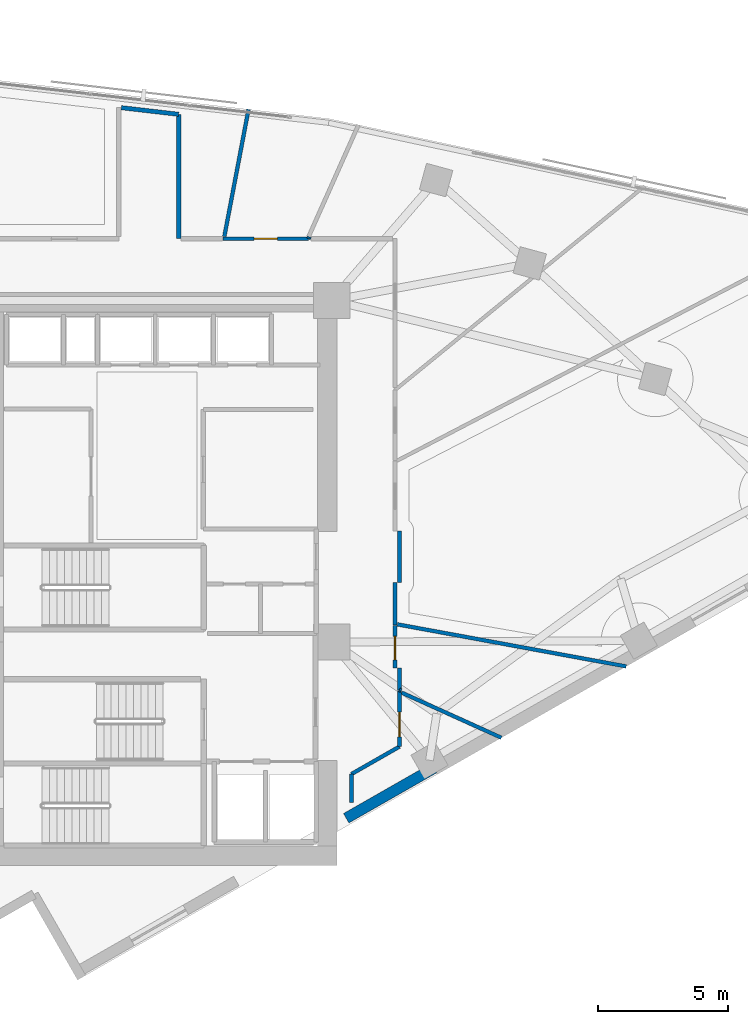
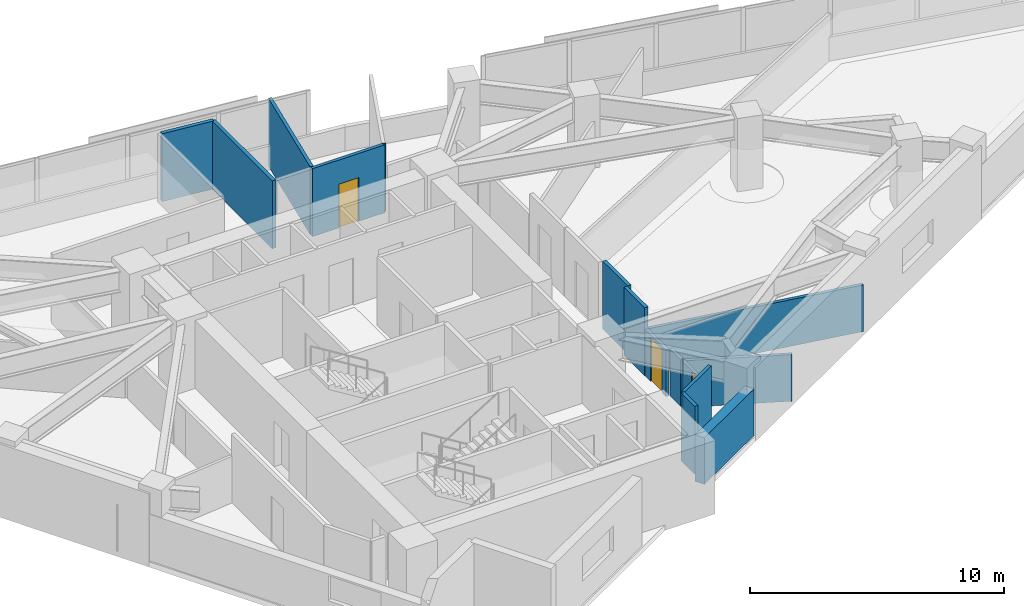
# One storey, part 10 of 13: 16 walls, 3 doors, 3 openings.
"""IFC4 building model written with IfcOpenShell, lengths in metres."""

from ifc_helpers import new_model, si_unit, direction, frame, frame_2d, origin, place, context, subcontext, project, spatial, rectangle, extrude, material, layer, layer_set, type_object, element, fill, save


model = new_model("IFC4")

# Units and contexts
model_context = context("Model", 3, precision=1e-05, world=origin(), true_north=direction((0.0, 1.0)))
body_context = subcontext(model_context, "Body", "Model", "MODEL_VIEW")
ifc_project = project(units=[si_unit("LENGTHUNIT", "METRE"), si_unit("AREAUNIT", "SQUARE_METRE"), si_unit("VOLUMEUNIT", "CUBIC_METRE"), si_unit("PLANEANGLEUNIT", "RADIAN"), si_unit("MASSUNIT", "GRAM", prefix="KILO")], contexts=[model_context])

# Site, building, storey
site_placement = place(None, origin())
site = spatial("IfcSite", under=ifc_project, at=site_placement, CompositionType="ELEMENT")
building_placement = place(site_placement, origin())
building = spatial("IfcBuilding", under=site, at=building_placement, Name="Narakoshi Arena Tower", CompositionType="ELEMENT")
storey_placement = place(building_placement, frame((0.0, 0.0, 229.06005859375)))
storey = spatial("IfcBuildingStorey", under=building, at=storey_placement, Name="L62", CompositionType="ELEMENT", Elevation=229.06005859375)

# Walls
ifc_material_1 = material(Name="Gypsum plasterboard fire-rated partition")
ifc_layer_1 = layer(ifc_material_1, 0.1650390625)
ifc_layer_set_1 = layer_set([ifc_layer_1], Name="Gypsum plasterboard fire-rated partition")
wall_type_1 = type_object("IfcWallType", Name="WL-CORR-165", PredefinedType="PARTITIONING", material=ifc_layer_set_1)
wall_1_placement = place(storey_placement, frame((88.14990234375, 45.64990234375, 0.0), z_axis=(0.0, 0.0, 1.0), x_axis=(0.0, 1.0, 0.0)))
element("IfcWall", 1, at=wall_1_placement, inside=storey, type_object=wall_type_1, Name="L62 Corridor Partition 03-2", PredefinedType="PARTITIONING", context=body_context, shape_type="SweptSolid", body=[
    extrude(rectangle(XDim=1.97021484375, YDim=0.1650390625, at=frame_2d((0.985107421875, 0.0))), origin(), (0.0, 0.0, 1.0), 3.260009765625),
])
wall_2_placement = place(storey_placement, frame((87.976318359375, 44.01220703125, 0.0), z_axis=(0.0, 0.0, 1.0), x_axis=(0.0, 1.0, 0.0)))
element("IfcWall", 2, at=wall_2_placement, inside=storey, type_object=wall_type_1, Name="L62 Corridor Partition 03-3", PredefinedType="PARTITIONING", context=body_context, shape_type="SweptSolid", body=[
    extrude(rectangle(XDim=1.6376953125, YDim=0.1650390625, at=frame_2d((0.81884765625, 0.0))), origin(), (0.0, 0.0, 1.0), 3.260009765625),
])
wall_3_placement = place(storey_placement, frame((79.64990234375, 58.87646484375, 0.0), z_axis=(0.0, 0.0, 1.0), x_axis=(0.0, 1.0, 0.0)))
element("IfcWall", 3, at=wall_3_placement, inside=storey, type_object=wall_type_1, Name="L62 Corridor Partition 08-4", PredefinedType="PARTITIONING", context=body_context, shape_type="SweptSolid", body=[
    extrude(rectangle(XDim=4.7880859375, YDim=0.1650390625, at=frame_2d((2.39404296875, 0.0))), origin(), (0.0, 0.0, 1.0), 3.260009765625),
])
wall_4_placement = place(storey_placement, frame((79.64990234375, 63.66455078125, 0.0), z_axis=(0.0, 0.0, 1.0), x_axis=(-0.993362136032, 0.115028981987, 0.0)))
element("IfcWall", 4, at=wall_4_placement, inside=storey, type_object=wall_type_1, Name="L62 Corridor Partition 08-5", PredefinedType="PARTITIONING", context=body_context, shape_type="SweptSolid", body=[
    extrude(rectangle(XDim=2.219970703125, YDim=0.1650390625, at=frame_2d((1.10986328125, 0.0))), origin(), (0.0, 0.0, 1.0), 3.260009765625),
])
ifc_material_2 = material(Name="Precast concrete C45/55", Category="concrete")
ifc_layer_2 = layer(ifc_material_2, 0.419921875)
ifc_layer_set_2 = layer_set([ifc_layer_2], Name="Precast concrete C45/55")
wall_type_2 = type_object("IfcWallType", Name="WL-POD-420", PredefinedType="SOLIDWALL", material=ifc_layer_set_2)
wall_5_placement = place(storey_placement, frame((86.10009765625, 36.567626953125, 0.0), z_axis=(0.0, 0.0, 1.0), x_axis=(0.868192956745, 0.496226752461, 0.0)))
element("IfcWall", 5, at=wall_5_placement, inside=storey, type_object=wall_type_2, Name="L62 Architectural Concrete Facade Wall LEGA-2", PredefinedType="SOLIDWALL", context=body_context, shape_type="SweptSolid", body=[
    extrude(rectangle(XDim=3.89208984375, YDim=0.419921875, at=frame_2d((1.946044921875, 0.0))), origin(), (0.0, 0.0, 1.0), 2.237060546875),
])

# Wall, opening, door
ifc_material_3 = material(Name="Moisture-resistant cement-board partition")
ifc_layer_3 = layer(ifc_material_3, 0.14501953125)
ifc_layer_set_3 = layer_set([ifc_layer_3], Name="Moisture-resistant cement-board partition")
wall_type_3 = type_object("IfcWallType", Name="WL-WET-145", PredefinedType="PARTITIONING", material=ifc_layer_set_3)
wall_6_placement = place(storey_placement, frame((88.14990234375, 39.322998046875, 0.0), z_axis=(0.0, 0.0, 1.0), x_axis=(0.0, 1.0, 0.0)))
wall_6 = element("IfcWall", 6, at=wall_6_placement, inside=storey, type_object=wall_type_3, Name="L62 Corridor Partition 02-1", PredefinedType="PARTITIONING", context=body_context, shape_type="SweptSolid", body=[
    extrude(rectangle(XDim=2.158203125, YDim=0.14501953125, at=frame_2d((1.0791015625, 0.0))), origin(), (0.0, 0.0, 1.0), 2.237060546875),
])
opening_1_placement = place(wall_6_placement, frame((0.377685546875, 0.0, 0.0)))
opening_1 = element("IfcOpeningElement", 7, at=opening_1_placement, cuts=wall_6, Name="Opening D-07", PredefinedType="OPENING", context=body_context, shape_type="SweptSolid", body=[
    extrude(rectangle(XDim=0.949951171875, YDim=2.14990234375, at=frame_2d((0.47509765625, 1.074951171875))), frame((0.0, 0.08251953125, 0.0), z_axis=(0.0, -1.0, 0.0), x_axis=(1.0, 0.0, 0.0)), (0.0, 0.0, 1.0), 0.1650390625),
])
ifc_material_4 = material(Name="Stained oak solid-core timber", Category="wood")
door_type_1 = type_object("IfcDoorType", Name="DR-ACC-950", OperationType="NOTDEFINED", PredefinedType="DOOR", material=ifc_material_4)
door_1_placement = place(opening_1_placement, frame((0.949951171875, 0.0, 0.0), z_axis=(0.0, 0.0, 1.0), x_axis=(-1.0, 0.0, 0.0)))
door_1 = element("IfcDoor", 8, at=door_1_placement, inside=storey, type_object=door_type_1, Name="DR-L62-016", OperationType="SINGLE_SWING_RIGHT", OverallHeight=2.14990234375, OverallWidth=0.949951171875, PredefinedType="DOOR", context=body_context, shape_type="SweptSolid", body=[
    extrude(rectangle(XDim=0.949951171875, YDim=2.14990234375, at=frame_2d((0.47509765625, 1.074951171875))), frame((0.0, 0.02490234375, 0.0), z_axis=(0.0, -1.0, 0.0), x_axis=(1.0, 0.0, 0.0)), (0.0, 0.0, 1.0), 0.050048828125),
])
fill(opening_1, door_1)

# Walls
wall_7_placement = place(storey_placement, frame((86.300048828125, 38.265625, 0.0), z_axis=(0.0, 0.0, 1.0), x_axis=(0.868179674817, 0.496249989657, 0.0)))
element("IfcWall", 9, at=wall_7_placement, inside=storey, type_object=wall_type_3, Name="L62 Corridor Partition 02-2", PredefinedType="PARTITIONING", context=body_context, shape_type="SweptSolid", body=[
    extrude(rectangle(XDim=2.130615234375, YDim=0.14501953125, at=frame_2d((1.0654296875, 0.0))), origin(), (0.0, 0.0, 1.0), 3.260009765625),
])
wall_8_placement = place(storey_placement, frame((88.234619140625, 41.403564453125, 0.0), z_axis=(0.0, 0.0, 1.0), x_axis=(0.911094976198, -0.412196487547, 0.0)))
element("IfcWall", 10, at=wall_8_placement, inside=storey, type_object=wall_type_3, Name="L62 Inter-Room Partition 02-04", PredefinedType="PARTITIONING", context=body_context, shape_type="SweptSolid", body=[
    extrude(rectangle(XDim=4.21533203125, YDim=0.14501953125, at=frame_2d((2.107666015625, 0.0))), origin(), (0.0, 0.0, 1.0), 2.237060546875),
])
wall_9_placement = place(storey_placement, frame((96.87939453125, 42.411865234375, 0.0), z_axis=(0.0, 0.0, 1.0), x_axis=(-0.983532335891, 0.18073224465, 0.0)))
element("IfcWall", 11, at=wall_9_placement, inside=storey, type_object=wall_type_3, Name="L62 Inter-Room Partition 03-04", PredefinedType="PARTITIONING", context=body_context, shape_type="SweptSolid", body=[
    extrude(rectangle(XDim=8.9560546875, YDim=0.14501953125, at=frame_2d((4.47802734375, 0.0))), origin(), (0.0, 0.0, 1.0), 2.237060546875),
])

# Wall, opening, door
wall_10_placement = place(storey_placement, frame((87.976318359375, 42.35009765625, 0.0), z_axis=(0.0, 0.0, 1.0), x_axis=(0.0, 1.0, 0.0)))
wall_10 = element("IfcWall", 12, at=wall_10_placement, inside=storey, type_object=wall_type_3, Name="L62 Corridor Partition 04-1", PredefinedType="PARTITIONING", context=body_context, shape_type="SweptSolid", body=[
    extrude(rectangle(XDim=1.6376953125, YDim=0.14501953125, at=frame_2d((0.81884765625, 0.0))), origin(), (0.0, 0.0, 1.0), 2.237060546875),
])
opening_2_placement = place(wall_10_placement, frame((0.318115234375, 0.0, 0.0)))
opening_2 = element("IfcOpeningElement", 13, at=opening_2_placement, cuts=wall_10, Name="Opening D-08", PredefinedType="OPENING", context=body_context, shape_type="SweptSolid", body=[
    extrude(rectangle(XDim=0.89990234375, YDim=2.10009765625, at=frame_2d((0.449951171875, 1.050048828125))), frame((0.0, 0.08251953125, 0.0), z_axis=(0.0, -1.0, 0.0), x_axis=(1.0, 0.0, 0.0)), (0.0, 0.0, 1.0), 0.1650390625),
])
ifc_material_5 = material(Name="Moisture-resistant laminate timber", Category="wood")
door_type_2 = type_object("IfcDoorType", Name="DR-WC-900", OperationType="NOTDEFINED", PredefinedType="DOOR", material=ifc_material_5)
door_2_placement = place(opening_2_placement, frame((0.89990234375, 0.0, 0.0), z_axis=(0.0, 0.0, 1.0), x_axis=(-1.0, 0.0, 0.0)))
door_2 = element("IfcDoor", 14, at=door_2_placement, inside=storey, type_object=door_type_2, Name="DR-L62-018", OperationType="SINGLE_SWING_LEFT", OverallHeight=2.10009765625, OverallWidth=0.89990234375, PredefinedType="DOOR", context=body_context, shape_type="SweptSolid", body=[
    extrude(rectangle(XDim=0.89990234375, YDim=2.10009765625, at=frame_2d((0.449951171875, 1.050048828125))), frame((0.0, 0.02490234375, 0.0), z_axis=(0.0, -1.0, 0.0), x_axis=(1.0, 0.0, 0.0)), (0.0, 0.0, 1.0), 0.050048828125),
])
fill(opening_2, door_2)

# Walls
wall_11_placement = place(storey_placement, frame((88.14990234375, 41.50732421875, 0.0), z_axis=(0.0, 0.0, 1.0), x_axis=(0.0, 1.0, 0.0)))
element("IfcWall", 15, at=wall_11_placement, inside=storey, type_object=wall_type_3, Name="L62 Corridor Partition 04-2", PredefinedType="PARTITIONING", context=body_context, shape_type="SweptSolid", body=[
    extrude(rectangle(XDim=0.8427734375, YDim=0.14501953125, at=frame_2d((0.42138671875, 0.0))), origin(), (0.0, 0.0, 1.0), 2.237060546875),
])
wall_12_placement = place(storey_placement, frame((88.209716796875, 41.481201171875, 0.0), z_axis=(0.0, 0.0, 1.0), x_axis=(-0.91641468621, 0.400230087447, 0.0)))
element("IfcWall", 16, at=wall_12_placement, inside=storey, type_object=wall_type_3, Name="L62 Corridor Partition 04-3", PredefinedType="PARTITIONING", context=body_context, shape_type="SweptSolid", body=[
    extrude(rectangle(XDim=0.065185546875, YDim=0.14501953125, at=frame_2d((0.03271484375, 0.0))), origin(), (0.0, 0.0, 1.0), 2.237060546875),
])

# Wall, opening, door
wall_13_placement = place(storey_placement, frame((84.653564453125, 58.87646484375, 0.0), z_axis=(0.0, 0.0, 1.0), x_axis=(-1.0, 0.0, 0.0)))
wall_13 = element("IfcWall", 17, at=wall_13_placement, inside=storey, type_object=wall_type_3, Name="L62 Corridor Partition 06-1", PredefinedType="PARTITIONING", context=body_context, shape_type="SweptSolid", body=[
    extrude(rectangle(XDim=3.296875, YDim=0.14501953125, at=frame_2d((1.6484375, 0.0))), origin(), (0.0, 0.0, 1.0), 3.260009765625),
])
opening_3_placement = place(wall_13_placement, frame((1.1982421875, 0.0, 0.0)))
opening_3 = element("IfcOpeningElement", 18, at=opening_3_placement, cuts=wall_13, Name="Opening D-08", PredefinedType="OPENING", context=body_context, shape_type="SweptSolid", body=[
    extrude(rectangle(XDim=0.89990234375, YDim=2.10009765625, at=frame_2d((0.449951171875, 1.050048828125))), frame((0.0, 0.08251953125, 0.0), z_axis=(0.0, -1.0, 0.0), x_axis=(1.0, 0.0, 0.0)), (0.0, 0.0, 1.0), 0.1650390625),
])
door_3_placement = place(opening_3_placement, frame((0.89990234375, 0.0, 0.0), z_axis=(0.0, 0.0, 1.0), x_axis=(-1.0, 0.0, 0.0)))
door_3 = element("IfcDoor", 19, at=door_3_placement, inside=storey, type_object=door_type_2, Name="DR-L62-020", OperationType="SINGLE_SWING_LEFT", OverallHeight=2.10009765625, OverallWidth=0.89990234375, PredefinedType="DOOR", context=body_context, shape_type="SweptSolid", body=[
    extrude(rectangle(XDim=0.89990234375, YDim=2.10009765625, at=frame_2d((0.449951171875, 1.050048828125))), frame((0.0, 0.02490234375, 0.0), z_axis=(0.0, -1.0, 0.0), x_axis=(1.0, 0.0, 0.0)), (0.0, 0.0, 1.0), 0.050048828125),
])
fill(opening_3, door_3)

# Walls
wall_14_placement = place(storey_placement, frame((84.679931640625, 58.936279296875, 0.0), z_axis=(0.0, 0.0, 1.0), x_axis=(-0.403364333628, -0.915039460546, 0.0)))
element("IfcWall", 20, at=wall_14_placement, inside=storey, type_object=wall_type_3, Name="L62 Corridor Partition 06-2", PredefinedType="PARTITIONING", context=body_context, shape_type="SweptSolid", body=[
    extrude(rectangle(XDim=0.0654296875, YDim=0.14501953125, at=frame_2d((0.03271484375, 0.0))), origin(), (0.0, 0.0, 1.0), 3.260009765625),
])
wall_15_placement = place(storey_placement, frame((81.40966796875, 58.9609375, 0.0), z_axis=(0.0, 0.0, 1.0), x_axis=(0.187053573784, 0.982349713969, 0.0)))
element("IfcWall", 21, at=wall_15_placement, inside=storey, type_object=wall_type_3, Name="L62 Inter-Room Partition 06-08", PredefinedType="PARTITIONING", context=body_context, shape_type="SweptSolid", body=[
    extrude(rectangle(XDim=4.983154296875, YDim=0.14501953125, at=frame_2d((2.49169921875, 0.0))), origin(), (0.0, 0.0, 1.0), 3.260009765625),
])
wall_16_placement = place(storey_placement, frame((86.300048828125, 37.17724609375, 0.0), z_axis=(0.0, 0.0, 1.0), x_axis=(0.0, 1.0, 0.0)))
element("IfcWall", 22, at=wall_16_placement, inside=storey, type_object=wall_type_3, Name="L62 Room Enclosure Partition 02-1", PredefinedType="PARTITIONING", context=body_context, shape_type="SweptSolid", body=[
    extrude(rectangle(XDim=1.08837890625, YDim=0.14501953125, at=frame_2d((0.544189453125, 0.0))), origin(), (0.0, 0.0, 1.0), 3.260009765625),
])

save(model, "model.ifc")
